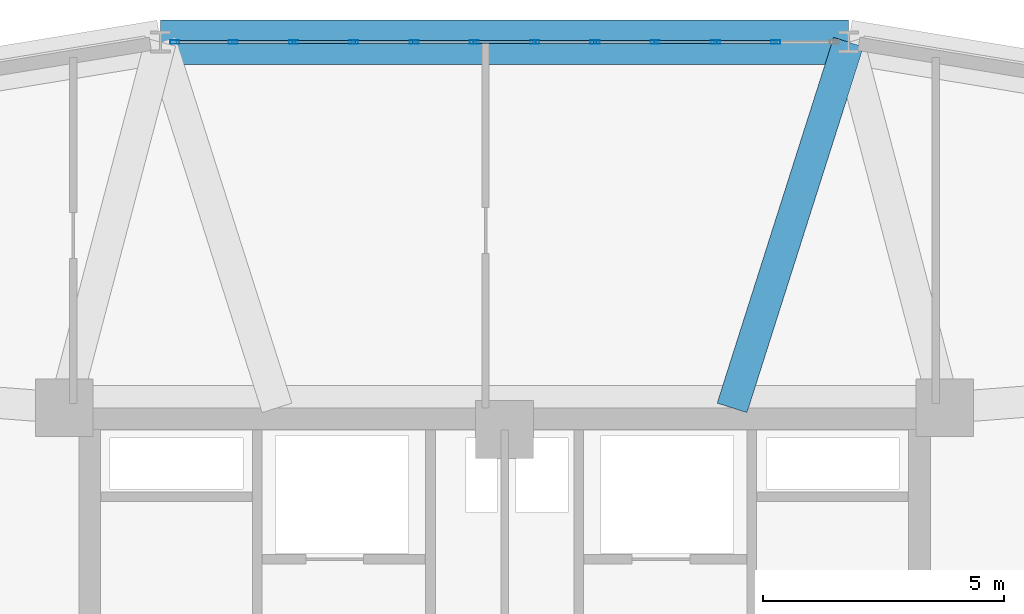
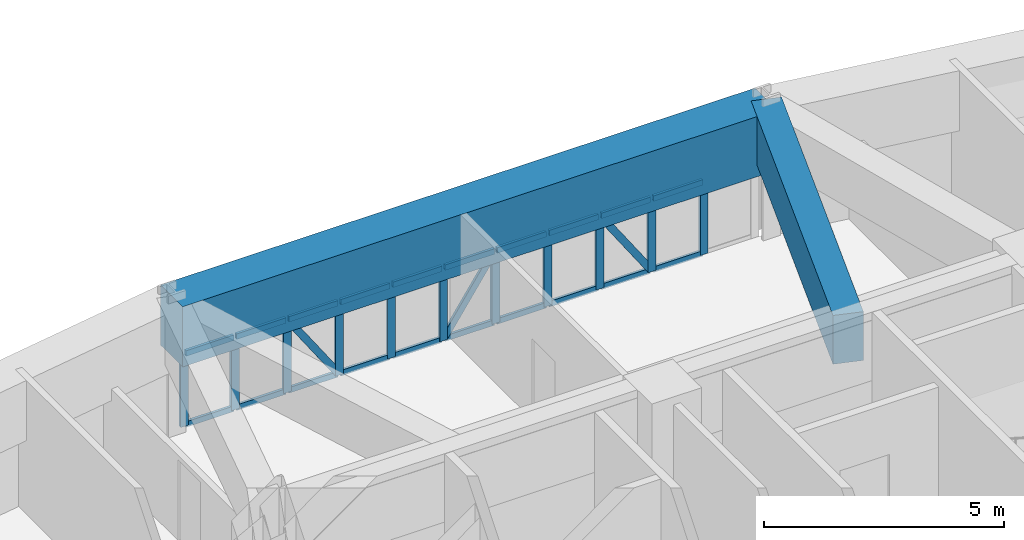
# One storey, part 8 of 16: 34 members, 2 beams, 1 element without a shape of its own.
"""IFC4 building model written with IfcOpenShell, lengths in metres."""

from ifc_helpers import new_model, si_unit, derived_unit, direction, frame, origin, origin_2d, place, context, subcontext, project, spatial, rectangle, hollow_rectangle, extrude, source, transform, mapped, material, layer, layer_set, material_profile, profile_set, type_object, element, aggregate, save


model = new_model("IFC4")

# Units and contexts
model_context = context("Model", 3, precision=1e-05, world=origin(), true_north=direction((0.0, 1.0)))
body_context = subcontext(model_context, "Body", "Model", "MODEL_VIEW")
ifc_project = project(units=[si_unit("LENGTHUNIT", "METRE"), si_unit("AREAUNIT", "SQUARE_METRE"), si_unit("VOLUMEUNIT", "CUBIC_METRE"), si_unit("PLANEANGLEUNIT", "RADIAN"), si_unit("MASSUNIT", "GRAM", prefix="KILO"), derived_unit("THERMALTRANSMITTANCEUNIT", [(si_unit("POWERUNIT", "WATT"), 1), (si_unit("LENGTHUNIT", "METRE"), -2), (si_unit("THERMODYNAMICTEMPERATUREUNIT", "KELVIN"), -1)])], contexts=[model_context])

# Site, building, storey
site_placement = place(None, origin())
site = spatial("IfcSite", under=ifc_project, at=site_placement, CompositionType="ELEMENT")
building_placement = place(site_placement, origin())
building = spatial("IfcBuilding", under=site, at=building_placement, Name="Korsvarv Bourse and Concert Hall", CompositionType="ELEMENT")
storey_placement = place(building_placement, frame((0.0, 0.0, 106.199951171875)))
storey = spatial("IfcBuildingStorey", under=building, at=storey_placement, Name="L26", CompositionType="ELEMENT", Elevation=106.199951171875)

# Beams
ifc_material_1 = material(Name="Concrete C50/60", Category="concrete")
ifc_material_profile_1 = material_profile(ifc_material_1, rectangle(XDim=0.919921875, YDim=1.530029296875, at=origin_2d()), Name="RC-BM 920x1530")
ifc_profile_set_1 = profile_set([ifc_material_profile_1], Name="Concrete C50/60")
beam_type_1 = type_object("IfcBeamType", Name="BM-TR-154", PredefinedType="BEAM", material=ifc_profile_set_1)
shared_shape_1 = source(origin(), body_context, "Body", "SweptSolid", [
    extrude(rectangle(XDim=0.919921875, YDim=1.530029296875, at=origin_2d()), origin(), (0.0, 0.0, 1.0), 14.298828125),
])
beam_1_placement = place(storey_placement, frame((43.1494140625, 54.8515625, 2.635009765625), z_axis=(-1.0, 0.0, 0.0), x_axis=(0.0, -1.0, 0.0)))
element("IfcBeam", 1, at=beam_1_placement, inside=storey, type_object=beam_type_1, Name="L26 beam B-TR6", PredefinedType="BEAM", context=body_context, shape_type="MappedRepresentation", body=[
    mapped(shared_shape_1, transform((0.0, 0.0, 0.0), scale=1.0)),
])
ifc_material_profile_2 = material_profile(ifc_material_1, rectangle(XDim=0.64990234375, YDim=1.239990234375, at=origin_2d()), Name="RC-BM 650x1240")
ifc_profile_set_2 = profile_set([ifc_material_profile_2], Name="Concrete C50/60")
beam_type_2 = type_object("IfcBeamType", Name="BM-TR-SPN", PredefinedType="BEAM", material=ifc_profile_set_2)
shared_shape_2 = source(origin(), body_context, "Body", "SweptSolid", [
    extrude(rectangle(XDim=0.64990234375, YDim=1.239990234375, at=origin_2d()), origin(), (0.0, 0.0, 1.0), 7.9775390625),
])
beam_2_placement = place(storey_placement, frame((43.1494140625, 54.8515625, 2.780029296875), z_axis=(-0.303400705923, -0.95286306028, 0.0), x_axis=(0.95286306028, -0.303400705923, 0.0)))
element("IfcBeam", 2, at=beam_2_placement, inside=storey, type_object=beam_type_2, Name="L26 beam B-TRS", PredefinedType="BEAM", context=body_context, shape_type="MappedRepresentation", body=[
    mapped(shared_shape_2, transform((0.0, 0.0, 0.0), scale=1.0)),
])

# Curtain wall, members
ifc_material_2 = material(Name="Anodised aluminium and triple low-E glazing", Category="glass")
ifc_layer = layer(ifc_material_2, 0.2099609375)
ifc_layer_set = layer_set([ifc_layer], Name="Anodised aluminium and triple low-E glazing")
curtain_wall_type = type_object("IfcCurtainWallType", Name="CW-SYS-2", PredefinedType="NOTDEFINED", material=ifc_layer_set)
curtain_wall_placement = place(storey_placement, origin())
curtain_wall = element("IfcCurtainWall", 3, at=curtain_wall_placement, inside=storey, type_object=curtain_wall_type, Name="L26 CW2 curtain wall CW-L26-F03", PredefinedType="NOTDEFINED")
ifc_material_3 = material(Name="Extruded aluminium EN AW-6063 T66", Category="aluminium")
ifc_material_profile_3 = material_profile(ifc_material_3, hollow_rectangle(XDim=0.070068359375, YDim=0.18994140625, WallThickness=0.0048828125, at=origin_2d()), Name="ALU-M 70x190")
ifc_profile_set_3 = profile_set([ifc_material_profile_3], Name="Extruded aluminium EN AW-6063 T66")
member_type_1 = type_object("IfcMemberType", Name="CWM-190", PredefinedType="MULLION", material=ifc_profile_set_3)
shared_shape_3 = source(origin(), body_context, "Body", "SweptSolid", [
    extrude(hollow_rectangle(XDim=0.070068359375, YDim=0.18994140625, WallThickness=0.0048828125, at=origin_2d()), origin(), (0.0, 0.0, 1.0), 1.8701171875),
])
member_1_placement = place(storey_placement, frame((41.6376953125, 54.8515625, 0.0), z_axis=(0.0, 0.0, 1.0), x_axis=(0.0, -1.0, 0.0)))
member_1 = element("IfcMember", 4, at=member_1_placement, type_object=member_type_1, Name="CW2 mullion 2", PredefinedType="MULLION", context=body_context, shape_type="MappedRepresentation", body=[
    mapped(shared_shape_3, transform((0.0, 0.0, 0.0), scale=1.0)),
])
member_2_placement = place(storey_placement, frame((40.384765625, 54.8515625, 0.0), z_axis=(0.0, 0.0, 1.0), x_axis=(0.0, -1.0, 0.0)))
member_2 = element("IfcMember", 5, at=member_2_placement, type_object=member_type_1, Name="CW2 mullion 3", PredefinedType="MULLION", context=body_context, shape_type="MappedRepresentation", body=[
    mapped(shared_shape_3, transform((0.0, 0.0, 0.0), scale=1.0)),
])
member_3_placement = place(storey_placement, frame((39.132080078125, 54.8515625, 0.0), z_axis=(0.0, 0.0, 1.0), x_axis=(0.0, -1.0, 0.0)))
member_3 = element("IfcMember", 6, at=member_3_placement, type_object=member_type_1, Name="CW2 mullion 4", PredefinedType="MULLION", context=body_context, shape_type="MappedRepresentation", body=[
    mapped(shared_shape_3, transform((0.0, 0.0, 0.0), scale=1.0)),
])
member_4_placement = place(storey_placement, frame((37.879150390625, 54.8515625, 0.0), z_axis=(0.0, 0.0, 1.0), x_axis=(0.0, -1.0, 0.0)))
member_4 = element("IfcMember", 7, at=member_4_placement, type_object=member_type_1, Name="CW2 mullion 5", PredefinedType="MULLION", context=body_context, shape_type="MappedRepresentation", body=[
    mapped(shared_shape_3, transform((0.0, 0.0, 0.0), scale=1.0)),
])
member_5_placement = place(storey_placement, frame((36.62646484375, 54.8515625, 0.0), z_axis=(0.0, 0.0, 1.0), x_axis=(0.0, -1.0, 0.0)))
member_5 = element("IfcMember", 8, at=member_5_placement, type_object=member_type_1, Name="CW2 mullion 6", PredefinedType="MULLION", context=body_context, shape_type="MappedRepresentation", body=[
    mapped(shared_shape_3, transform((0.0, 0.0, 0.0), scale=1.0)),
])
member_6_placement = place(storey_placement, frame((35.37353515625, 54.8515625, 0.0), z_axis=(0.0, 0.0, 1.0), x_axis=(0.0, -1.0, 0.0)))
member_6 = element("IfcMember", 9, at=member_6_placement, type_object=member_type_1, Name="CW2 mullion 7", PredefinedType="MULLION", context=body_context, shape_type="MappedRepresentation", body=[
    mapped(shared_shape_3, transform((0.0, 0.0, 0.0), scale=1.0)),
])
member_7_placement = place(storey_placement, frame((34.120849609375, 54.8515625, 0.0), z_axis=(0.0, 0.0, 1.0), x_axis=(0.0, -1.0, 0.0)))
member_7 = element("IfcMember", 10, at=member_7_placement, type_object=member_type_1, Name="CW2 mullion 8", PredefinedType="MULLION", context=body_context, shape_type="MappedRepresentation", body=[
    mapped(shared_shape_3, transform((0.0, 0.0, 0.0), scale=1.0)),
])
member_8_placement = place(storey_placement, frame((32.867919921875, 54.8515625, 0.0), z_axis=(0.0, 0.0, 1.0), x_axis=(0.0, -1.0, 0.0)))
member_8 = element("IfcMember", 11, at=member_8_placement, type_object=member_type_1, Name="CW2 mullion 9", PredefinedType="MULLION", context=body_context, shape_type="MappedRepresentation", body=[
    mapped(shared_shape_3, transform((0.0, 0.0, 0.0), scale=1.0)),
])
member_9_placement = place(storey_placement, frame((31.615234375, 54.8515625, 0.0), z_axis=(0.0, 0.0, 1.0), x_axis=(0.0, -1.0, 0.0)))
member_9 = element("IfcMember", 12, at=member_9_placement, type_object=member_type_1, Name="CW2 mullion 10", PredefinedType="MULLION", context=body_context, shape_type="MappedRepresentation", body=[
    mapped(shared_shape_3, transform((0.0, 0.0, 0.0), scale=1.0)),
])
member_10_placement = place(storey_placement, frame((30.3623046875, 54.8515625, 0.0), z_axis=(0.0, 0.0, 1.0), x_axis=(0.0, -1.0, 0.0)))
member_10 = element("IfcMember", 13, at=member_10_placement, type_object=member_type_1, Name="CW2 mullion 11", PredefinedType="MULLION", context=body_context, shape_type="MappedRepresentation", body=[
    mapped(shared_shape_3, transform((0.0, 0.0, 0.0), scale=1.0)),
])
member_11_placement = place(storey_placement, frame((29.14453125, 54.8515625, 0.0), z_axis=(0.0, 0.0, 1.0), x_axis=(0.0, -1.0, 0.0)))
member_11 = element("IfcMember", 14, at=member_11_placement, type_object=member_type_1, Name="CW2 mullion 12", PredefinedType="MULLION", context=body_context, shape_type="MappedRepresentation", body=[
    mapped(shared_shape_3, transform((0.0, 0.0, 0.0), scale=1.0)),
])
ifc_material_profile_4 = material_profile(ifc_material_3, hollow_rectangle(XDim=0.06494140625, YDim=0.139892578125, WallThickness=0.00390625, at=origin_2d()), Name="ALU-T 65x140")
ifc_profile_set_4 = profile_set([ifc_material_profile_4], Name="Extruded aluminium EN AW-6063 T66")
member_type_2 = type_object("IfcMemberType", Name="CWT-140", PredefinedType="USERDEFINED", material=ifc_profile_set_4)
shared_shape_4 = source(origin(), body_context, "Body", "SweptSolid", [
    extrude(hollow_rectangle(XDim=0.06494140625, YDim=0.139892578125, WallThickness=0.00390625, at=origin_2d()), origin(), (0.0, 0.0, 1.0), 1.147705078125),
])
member_12_placement = place(storey_placement, frame((30.327392578125, 54.8515625, 0.032470703125), z_axis=(-1.0, 0.0, 0.0), x_axis=(0.0, -1.0, 0.0)))
member_12 = element("IfcMember", 15, at=member_12_placement, type_object=member_type_2, Name="CW2 transom 11.1", ObjectType="TRANSOM", PredefinedType="USERDEFINED", context=body_context, shape_type="MappedRepresentation", body=[
    mapped(shared_shape_4, transform((0.0, 0.0, 0.0), scale=1.0)),
])
member_13_placement = place(storey_placement, frame((30.327392578125, 54.8515625, 1.837646484375), z_axis=(-1.0, 0.0, 0.0), x_axis=(0.0, -1.0, 0.0)))
member_13 = element("IfcMember", 16, at=member_13_placement, type_object=member_type_2, Name="CW2 transom 11.2", ObjectType="TRANSOM", PredefinedType="USERDEFINED", context=body_context, shape_type="MappedRepresentation", body=[
    mapped(shared_shape_4, transform((0.0, 0.0, 0.0), scale=1.0)),
])
shared_shape_5 = source(origin(), body_context, "Body", "SweptSolid", [
    extrude(hollow_rectangle(XDim=0.06494140625, YDim=0.139892578125, WallThickness=0.00390625, at=origin_2d()), origin(), (0.0, 0.0, 1.0), 1.1826171875),
])
member_14_placement = place(storey_placement, frame((41.6025390625, 54.8515625, 0.032470703125), z_axis=(-1.0, 0.0, 0.0), x_axis=(0.0, -1.0, 0.0)))
member_14 = element("IfcMember", 17, at=member_14_placement, type_object=member_type_2, Name="CW2 transom 2.1", ObjectType="TRANSOM", PredefinedType="USERDEFINED", context=body_context, shape_type="MappedRepresentation", body=[
    mapped(shared_shape_5, transform((0.0, 0.0, 0.0), scale=1.0)),
])
member_15_placement = place(storey_placement, frame((41.6025390625, 54.8515625, 1.837646484375), z_axis=(-1.0, 0.0, 0.0), x_axis=(0.0, -1.0, 0.0)))
member_15 = element("IfcMember", 18, at=member_15_placement, type_object=member_type_2, Name="CW2 transom 2.2", ObjectType="TRANSOM", PredefinedType="USERDEFINED", context=body_context, shape_type="MappedRepresentation", body=[
    mapped(shared_shape_5, transform((0.0, 0.0, 0.0), scale=1.0)),
])
member_16_placement = place(storey_placement, frame((39.096923828125, 54.8515625, 0.032470703125), z_axis=(-1.0, 0.0, 0.0), x_axis=(0.0, -1.0, 0.0)))
member_16 = element("IfcMember", 19, at=member_16_placement, type_object=member_type_2, Name="CW2 transom 4.1", ObjectType="TRANSOM", PredefinedType="USERDEFINED", context=body_context, shape_type="MappedRepresentation", body=[
    mapped(shared_shape_5, transform((0.0, 0.0, 0.0), scale=1.0)),
])
member_17_placement = place(storey_placement, frame((39.096923828125, 54.8515625, 1.837646484375), z_axis=(-1.0, 0.0, 0.0), x_axis=(0.0, -1.0, 0.0)))
member_17 = element("IfcMember", 20, at=member_17_placement, type_object=member_type_2, Name="CW2 transom 4.2", ObjectType="TRANSOM", PredefinedType="USERDEFINED", context=body_context, shape_type="MappedRepresentation", body=[
    mapped(shared_shape_5, transform((0.0, 0.0, 0.0), scale=1.0)),
])
member_18_placement = place(storey_placement, frame((36.59130859375, 54.8515625, 0.032470703125), z_axis=(-1.0, 0.0, 0.0), x_axis=(0.0, -1.0, 0.0)))
member_18 = element("IfcMember", 21, at=member_18_placement, type_object=member_type_2, Name="CW2 transom 6.1", ObjectType="TRANSOM", PredefinedType="USERDEFINED", context=body_context, shape_type="MappedRepresentation", body=[
    mapped(shared_shape_5, transform((0.0, 0.0, 0.0), scale=1.0)),
])
member_19_placement = place(storey_placement, frame((36.59130859375, 54.8515625, 1.837646484375), z_axis=(-1.0, 0.0, 0.0), x_axis=(0.0, -1.0, 0.0)))
member_19 = element("IfcMember", 22, at=member_19_placement, type_object=member_type_2, Name="CW2 transom 6.2", ObjectType="TRANSOM", PredefinedType="USERDEFINED", context=body_context, shape_type="MappedRepresentation", body=[
    mapped(shared_shape_5, transform((0.0, 0.0, 0.0), scale=1.0)),
])
member_20_placement = place(storey_placement, frame((34.085693359375, 54.8515625, 0.032470703125), z_axis=(-1.0, 0.0, 0.0), x_axis=(0.0, -1.0, 0.0)))
member_20 = element("IfcMember", 23, at=member_20_placement, type_object=member_type_2, Name="CW2 transom 8.1", ObjectType="TRANSOM", PredefinedType="USERDEFINED", context=body_context, shape_type="MappedRepresentation", body=[
    mapped(shared_shape_5, transform((0.0, 0.0, 0.0), scale=1.0)),
])
member_21_placement = place(storey_placement, frame((34.085693359375, 54.8515625, 1.837646484375), z_axis=(-1.0, 0.0, 0.0), x_axis=(0.0, -1.0, 0.0)))
member_21 = element("IfcMember", 24, at=member_21_placement, type_object=member_type_2, Name="CW2 transom 8.2", ObjectType="TRANSOM", PredefinedType="USERDEFINED", context=body_context, shape_type="MappedRepresentation", body=[
    mapped(shared_shape_5, transform((0.0, 0.0, 0.0), scale=1.0)),
])
member_22_placement = place(storey_placement, frame((31.580078125, 54.8515625, 0.032470703125), z_axis=(-1.0, 0.0, 0.0), x_axis=(0.0, -1.0, 0.0)))
member_22 = element("IfcMember", 25, at=member_22_placement, type_object=member_type_2, Name="CW2 transom 10.1", ObjectType="TRANSOM", PredefinedType="USERDEFINED", context=body_context, shape_type="MappedRepresentation", body=[
    mapped(shared_shape_5, transform((0.0, 0.0, 0.0), scale=1.0)),
])
member_23_placement = place(storey_placement, frame((31.580078125, 54.8515625, 1.837646484375), z_axis=(-1.0, 0.0, 0.0), x_axis=(0.0, -1.0, 0.0)))
member_23 = element("IfcMember", 26, at=member_23_placement, type_object=member_type_2, Name="CW2 transom 10.2", ObjectType="TRANSOM", PredefinedType="USERDEFINED", context=body_context, shape_type="MappedRepresentation", body=[
    mapped(shared_shape_5, transform((0.0, 0.0, 0.0), scale=1.0)),
])
shared_shape_6 = source(origin(), body_context, "Body", "SweptSolid", [
    extrude(hollow_rectangle(XDim=0.06494140625, YDim=0.139892578125, WallThickness=0.00390625, at=origin_2d()), origin(), (0.0, 0.0, 1.0), 1.182861328125),
])
member_24_placement = place(storey_placement, frame((40.349853515625, 54.8515625, 0.032470703125), z_axis=(-1.0, 0.0, 0.0), x_axis=(0.0, -1.0, 0.0)))
member_24 = element("IfcMember", 27, at=member_24_placement, type_object=member_type_2, Name="CW2 transom 3.1", ObjectType="TRANSOM", PredefinedType="USERDEFINED", context=body_context, shape_type="MappedRepresentation", body=[
    mapped(shared_shape_6, transform((0.0, 0.0, 0.0), scale=1.0)),
])
member_25_placement = place(storey_placement, frame((40.349853515625, 54.8515625, 1.837646484375), z_axis=(-1.0, 0.0, 0.0), x_axis=(0.0, -1.0, 0.0)))
member_25 = element("IfcMember", 28, at=member_25_placement, type_object=member_type_2, Name="CW2 transom 3.2", ObjectType="TRANSOM", PredefinedType="USERDEFINED", context=body_context, shape_type="MappedRepresentation", body=[
    mapped(shared_shape_6, transform((0.0, 0.0, 0.0), scale=1.0)),
])
member_26_placement = place(storey_placement, frame((37.84423828125, 54.8515625, 0.032470703125), z_axis=(-1.0, 0.0, 0.0), x_axis=(0.0, -1.0, 0.0)))
member_26 = element("IfcMember", 29, at=member_26_placement, type_object=member_type_2, Name="CW2 transom 5.1", ObjectType="TRANSOM", PredefinedType="USERDEFINED", context=body_context, shape_type="MappedRepresentation", body=[
    mapped(shared_shape_6, transform((0.0, 0.0, 0.0), scale=1.0)),
])
member_27_placement = place(storey_placement, frame((37.84423828125, 54.8515625, 1.837646484375), z_axis=(-1.0, 0.0, 0.0), x_axis=(0.0, -1.0, 0.0)))
member_27 = element("IfcMember", 30, at=member_27_placement, type_object=member_type_2, Name="CW2 transom 5.2", ObjectType="TRANSOM", PredefinedType="USERDEFINED", context=body_context, shape_type="MappedRepresentation", body=[
    mapped(shared_shape_6, transform((0.0, 0.0, 0.0), scale=1.0)),
])
member_28_placement = place(storey_placement, frame((35.338623046875, 54.8515625, 0.032470703125), z_axis=(-1.0, 0.0, 0.0), x_axis=(0.0, -1.0, 0.0)))
member_28 = element("IfcMember", 31, at=member_28_placement, type_object=member_type_2, Name="CW2 transom 7.1", ObjectType="TRANSOM", PredefinedType="USERDEFINED", context=body_context, shape_type="MappedRepresentation", body=[
    mapped(shared_shape_6, transform((0.0, 0.0, 0.0), scale=1.0)),
])
member_29_placement = place(storey_placement, frame((35.338623046875, 54.8515625, 1.837646484375), z_axis=(-1.0, 0.0, 0.0), x_axis=(0.0, -1.0, 0.0)))
member_29 = element("IfcMember", 32, at=member_29_placement, type_object=member_type_2, Name="CW2 transom 7.2", ObjectType="TRANSOM", PredefinedType="USERDEFINED", context=body_context, shape_type="MappedRepresentation", body=[
    mapped(shared_shape_6, transform((0.0, 0.0, 0.0), scale=1.0)),
])
member_30_placement = place(storey_placement, frame((32.8330078125, 54.8515625, 0.032470703125), z_axis=(-1.0, 0.0, 0.0), x_axis=(0.0, -1.0, 0.0)))
member_30 = element("IfcMember", 33, at=member_30_placement, type_object=member_type_2, Name="CW2 transom 9.1", ObjectType="TRANSOM", PredefinedType="USERDEFINED", context=body_context, shape_type="MappedRepresentation", body=[
    mapped(shared_shape_6, transform((0.0, 0.0, 0.0), scale=1.0)),
])
member_31_placement = place(storey_placement, frame((32.8330078125, 54.8515625, 1.837646484375), z_axis=(-1.0, 0.0, 0.0), x_axis=(0.0, -1.0, 0.0)))
member_31 = element("IfcMember", 34, at=member_31_placement, type_object=member_type_2, Name="CW2 transom 9.2", ObjectType="TRANSOM", PredefinedType="USERDEFINED", context=body_context, shape_type="MappedRepresentation", body=[
    mapped(shared_shape_6, transform((0.0, 0.0, 0.0), scale=1.0)),
])
ifc_material_profile_5 = material_profile(ifc_material_3, hollow_rectangle(XDim=0.06494140625, YDim=0.1650390625, WallThickness=0.0048828125, at=origin_2d()), Name="ALU-M 65x165")
ifc_profile_set_5 = profile_set([ifc_material_profile_5], Name="Extruded aluminium EN AW-6063 T66")
member_type_3 = type_object("IfcMemberType", Name="CWM-165", PredefinedType="MULLION", material=ifc_profile_set_5)
shared_shape_7 = source(origin(), body_context, "Body", "SweptSolid", [
    extrude(hollow_rectangle(XDim=0.06494140625, YDim=0.1650390625, WallThickness=0.0048828125, at=origin_2d()), origin(), (0.0, 0.0, 1.0), 2.10400390625),
])
member_32_placement = place(storey_placement, frame((40.349853515625, 54.8515625, 0.06494140625), z_axis=(-0.562202104203, 0.0, 0.826999875471), x_axis=(0.0, -1.0, 0.0)))
member_32 = element("IfcMember", 35, at=member_32_placement, type_object=member_type_3, Name="CW2 diagonal mullion 3", PredefinedType="MULLION", context=body_context, shape_type="MappedRepresentation", body=[
    mapped(shared_shape_7, transform((0.0, 0.0, 0.0), scale=1.0)),
])
member_33_placement = place(storey_placement, frame((32.8330078125, 54.8515625, 0.06494140625), z_axis=(-0.562202104203, 0.0, 0.826999875471), x_axis=(0.0, -1.0, 0.0)))
member_33 = element("IfcMember", 36, at=member_33_placement, type_object=member_type_3, Name="CW2 diagonal mullion 9", PredefinedType="MULLION", context=body_context, shape_type="MappedRepresentation", body=[
    mapped(shared_shape_7, transform((0.0, 0.0, 0.0), scale=1.0)),
])
shared_shape_8 = source(origin(), body_context, "Body", "SweptSolid", [
    extrude(hollow_rectangle(XDim=0.06494140625, YDim=0.1650390625, WallThickness=0.0048828125, at=origin_2d()), origin(), (0.0, 0.0, 1.0), 2.103759765625),
])
member_34_placement = place(storey_placement, frame((35.40869140625, 54.8515625, 0.06494140625), z_axis=(0.562122734991, 0.0, 0.827053825822), x_axis=(0.0, 1.0, 0.0)))
member_34 = element("IfcMember", 37, at=member_34_placement, type_object=member_type_3, Name="CW2 diagonal mullion 6", PredefinedType="MULLION", context=body_context, shape_type="MappedRepresentation", body=[
    mapped(shared_shape_8, transform((0.0, 0.0, 0.0), scale=1.0)),
])
aggregate(curtain_wall, [member_1, member_2, member_3, member_4, member_5, member_6, member_7, member_8, member_9, member_10, member_11, member_14, member_15, member_24, member_25, member_32, member_16, member_17, member_26, member_27, member_18, member_19, member_34, member_28, member_29, member_20, member_21, member_30, member_31, member_33, member_22, member_23, member_12, member_13])

save(model, "model.ifc")
